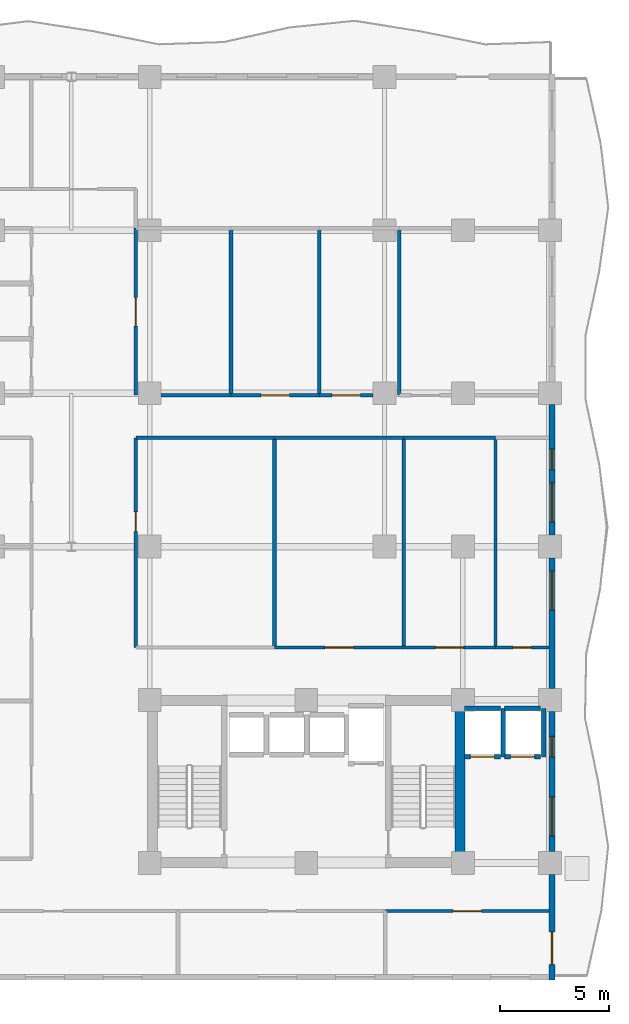
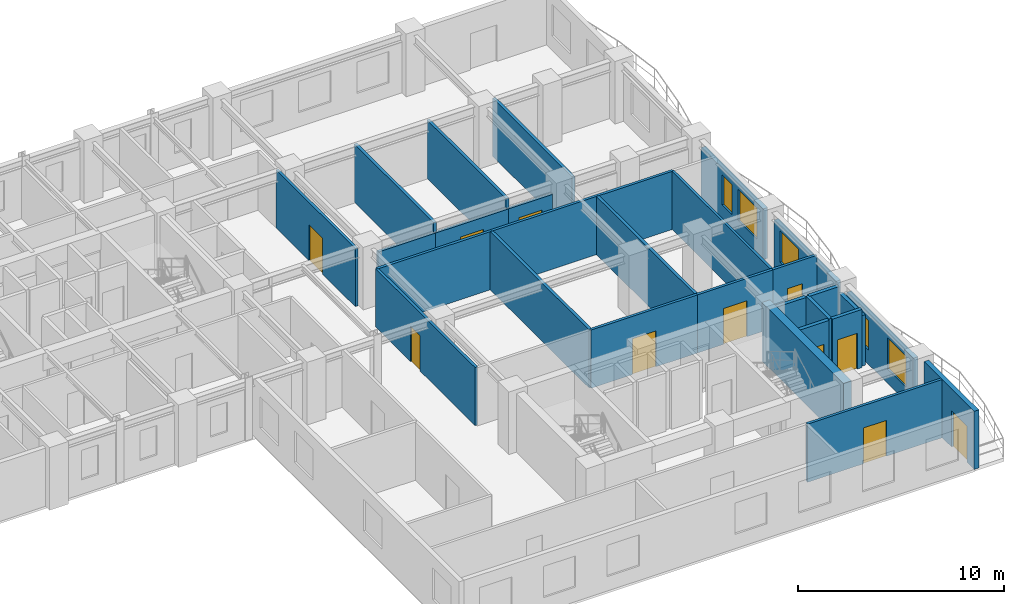
# One storey, part 13 of 19: 29 walls, 11 doors, 5 windows, 16 openings.
"""IFC4 building model written with IfcOpenShell, lengths in metres."""

from ifc_helpers import new_model, si_unit, direction, frame, frame_2d, origin, place, context, subcontext, project, spatial, rectangle, extrude, material, layer, layer_set, type_object, element, fill, save


model = new_model("IFC4")

# Units and contexts
model_context = context("Model", 3, precision=1e-05, world=origin(), true_north=direction((0.0, 1.0)))
body_context = subcontext(model_context, "Body", "Model", "MODEL_VIEW")
ifc_project = project(units=[si_unit("LENGTHUNIT", "METRE"), si_unit("AREAUNIT", "SQUARE_METRE"), si_unit("VOLUMEUNIT", "CUBIC_METRE"), si_unit("PLANEANGLEUNIT", "RADIAN"), si_unit("MASSUNIT", "GRAM", prefix="KILO")], contexts=[model_context])

# Site, building, storey
site_placement = place(None, origin())
site = spatial("IfcSite", under=ifc_project, at=site_placement, CompositionType="ELEMENT")
building_placement = place(site_placement, origin())
building = spatial("IfcBuilding", under=site, at=building_placement, Name="Kaliganga Portal Commons", CompositionType="ELEMENT")
storey_placement = place(building_placement, frame((0.0, 0.0, 140.199951171875)))
storey = spatial("IfcBuildingStorey", under=building, at=storey_placement, Name="L35", CompositionType="ELEMENT", Elevation=140.199951171875)

# Wall
ifc_material_1 = material(Name="Concrete C60/75", Category="concrete")
ifc_layer_1 = layer(ifc_material_1, 0.449951171875)
ifc_layer_set_1 = layer_set([ifc_layer_1], Name="Concrete C60/75")
wall_type_1 = type_object("IfcWallType", Name="WL-CORE-450", PredefinedType="SHEAR", material=ifc_layer_set_1)
wall_1_placement = place(storey_placement, frame((50.27490234375, 6.85009765625, 0.0), z_axis=(0.0, 0.0, 1.0), x_axis=(0.0, 1.0, 0.0)))
element("IfcWall", 1, at=wall_1_placement, inside=storey, type_object=wall_type_1, Name="Core B East Shear Wall L35", PredefinedType="SHEAR", context=body_context, shape_type="SweptSolid", body=[
    extrude(rectangle(XDim=7.89990234375, YDim=0.449951171875, at=frame_2d((3.949951171875, 0.0))), origin(), (0.0, 0.0, 1.0), 3.4599609375),
])

# Wall, opening, door
ifc_material_2 = material(Name="Insulated Aluminium-Clad Spandrel Assembly", Category="aluminium")
ifc_layer_2 = layer(ifc_material_2, 0.260009765625)
ifc_layer_set_2 = layer_set([ifc_layer_2], Name="Insulated Aluminium-Clad Spandrel Assembly")
wall_type_2 = type_object("IfcWallType", Name="WL-EXT-SPAND-260", PredefinedType="STANDARD", material=ifc_layer_set_2)
wall_2_placement = place(storey_placement, frame((54.5, 6.52392578125, 0.0), z_axis=(0.0, 0.0, 1.0), x_axis=(0.0, -1.0, 0.0)))
wall_2 = element("IfcWall", 2, at=wall_2_placement, inside=storey, type_object=wall_type_2, Name="Exterior Envelope Wall L35 P1-E01-S1", PredefinedType="STANDARD", context=body_context, shape_type="SweptSolid", body=[
    extrude(rectangle(XDim=4.85400390625, YDim=0.260009765625, at=frame_2d((2.427001953125, 0.0))), origin(), (0.0, 0.0, 1.0), 3.43994140625),
])
opening_1_placement = place(wall_2_placement, frame((2.64794921875, 0.0, 0.0)))
opening_1 = element("IfcOpeningElement", 3, at=opening_1_placement, cuts=wall_2, Name="Opening BD-01", PredefinedType="OPENING", context=body_context, shape_type="SweptSolid", body=[
    extrude(rectangle(XDim=1.5, YDim=2.14990234375, at=frame_2d((0.75, 1.074951171875))), frame((0.0, 0.14013671875, 0.0), z_axis=(0.0, -1.0, 0.0), x_axis=(1.0, 0.0, 0.0)), (0.0, 0.0, 1.0), 0.280029296875),
])
ifc_material_3 = material(Name="Anodized Aluminium and Laminated Safety Glass", Category="aluminium")
door_type_1 = type_object("IfcDoorType", Name="DR-BALC-1500", OperationType="SLIDING_TO_LEFT", PredefinedType="DOOR", material=ifc_material_3)
door_1_placement = place(opening_1_placement, origin())
door_1 = element("IfcDoor", 4, at=door_1_placement, inside=storey, type_object=door_type_1, Name="Balcony Sliding Door L35 balc_east", OperationType="SLIDING_TO_LEFT", OverallHeight=2.14990234375, OverallWidth=1.5, PredefinedType="DOOR", context=body_context, shape_type="SweptSolid", body=[
    extrude(rectangle(XDim=1.5, YDim=2.14990234375, at=frame_2d((0.75, 1.074951171875))), frame((0.0, 0.02490234375, 0.0), z_axis=(0.0, -1.0, 0.0), x_axis=(1.0, 0.0, 0.0)), (0.0, 0.0, 1.0), 0.050048828125),
])
fill(opening_1, door_1)

# Wall, openings, windows
wall_3_placement = place(storey_placement, frame((54.5, 14.02392578125, 0.0), z_axis=(0.0, 0.0, 1.0), x_axis=(0.0, -1.0, 0.0)))
wall_3 = element("IfcWall", 5, at=wall_3_placement, inside=storey, type_object=wall_type_2, Name="Exterior Envelope Wall L35 P1-E01-S2", PredefinedType="STANDARD", context=body_context, shape_type="SweptSolid", body=[
    extrude(rectangle(XDim=6.447998046875, YDim=0.260009765625, at=frame_2d((3.22412109375, 0.0))), origin(), (0.0, 0.0, 1.0), 2.989990234375),
])
opening_2_placement = place(wall_3_placement, frame((3.93603515625, 0.0, 0.85009765625)))
opening_2 = element("IfcOpeningElement", 6, at=opening_2_placement, cuts=wall_3, Name="Opening W-01", PredefinedType="OPENING", context=body_context, shape_type="SweptSolid", body=[
    extrude(rectangle(XDim=1.800048828125, YDim=1.85009765625, at=frame_2d((0.89990234375, 0.925048828125))), frame((0.0, 0.14013671875, 0.0), z_axis=(0.0, -1.0, 0.0), x_axis=(1.0, 0.0, 0.0)), (0.0, 0.0, 1.0), 0.280029296875),
])
opening_3_placement = place(wall_3_placement, frame((1.14990234375, 0.0, 0.85009765625)))
opening_3 = element("IfcOpeningElement", 7, at=opening_3_placement, cuts=wall_3, Name="Opening W-04", PredefinedType="OPENING", context=body_context, shape_type="SweptSolid", body=[
    extrude(rectangle(XDim=0.949951171875, YDim=1.75, at=frame_2d((0.47509765625, 0.875))), frame((0.0, 0.14013671875, 0.0), z_axis=(0.0, -1.0, 0.0), x_axis=(1.0, 0.0, 0.0)), (0.0, 0.0, 1.0), 0.280029296875),
])
ifc_material_4 = material(Name="Thermally Broken Aluminium and Low-E Double Glazing", Category="aluminium")
window_type_1 = type_object("IfcWindowType", Name="WIN-NARROW-950", PartitioningType="SINGLE_PANEL", PredefinedType="WINDOW", material=ifc_material_4)
window_1_placement = place(opening_3_placement, origin())
window_1 = element("IfcWindow", 8, at=window_1_placement, inside=storey, type_object=window_type_1, Name="Facade Window L35-P1E01S2-N1", OverallHeight=1.75, OverallWidth=0.949951171875, PartitioningType="SINGLE_PANEL", PredefinedType="WINDOW", context=body_context, shape_type="SweptSolid", body=[
    extrude(rectangle(XDim=0.949951171875, YDim=1.75, at=frame_2d((0.47509765625, 0.875))), frame((0.0, 0.030029296875, 0.0), z_axis=(0.0, -1.0, 0.0), x_axis=(1.0, 0.0, 0.0)), (0.0, 0.0, 1.0), 0.06005859375),
])
fill(opening_3, window_1)
window_type_2 = type_object("IfcWindowType", Name="WIN-STD-1800", PartitioningType="DOUBLE_PANEL_VERTICAL", PredefinedType="WINDOW", material=ifc_material_4)
window_2_placement = place(opening_2_placement, origin())
window_2 = element("IfcWindow", 9, at=window_2_placement, inside=storey, type_object=window_type_2, Name="Facade Window L35-P1E01S2-01", OverallHeight=1.85009765625, OverallWidth=1.800048828125, PartitioningType="SINGLE_PANEL", PredefinedType="WINDOW", context=body_context, shape_type="SweptSolid", body=[
    extrude(rectangle(XDim=1.800048828125, YDim=1.85009765625, at=frame_2d((0.89990234375, 0.925048828125))), frame((0.0, 0.030029296875, 0.0), z_axis=(0.0, -1.0, 0.0), x_axis=(1.0, 0.0, 0.0)), (0.0, 0.0, 1.0), 0.06005859375),
])
fill(opening_2, window_2)

# Wall, opening, window
wall_4_placement = place(storey_placement, frame((54.5, 21.073974609375, 0.0), z_axis=(0.0, 0.0, 1.0), x_axis=(0.0, -1.0, 0.0)))
wall_4 = element("IfcWall", 10, at=wall_4_placement, inside=storey, type_object=wall_type_2, Name="Exterior Envelope Wall L35 P1-E01-S3", PredefinedType="STANDARD", context=body_context, shape_type="SweptSolid", body=[
    extrude(rectangle(XDim=5.998046875, YDim=0.260009765625, at=frame_2d((2.9990234375, 0.0))), origin(), (0.0, 0.0, 1.0), 2.989990234375),
])
opening_4_placement = place(wall_4_placement, frame((0.599609375, 0.0, 0.85009765625)))
opening_4 = element("IfcOpeningElement", 11, at=opening_4_placement, cuts=wall_4, Name="Opening W-01", PredefinedType="OPENING", context=body_context, shape_type="SweptSolid", body=[
    extrude(rectangle(XDim=1.800048828125, YDim=1.85009765625, at=frame_2d((0.89990234375, 0.925048828125))), frame((0.0, 0.14013671875, 0.0), z_axis=(0.0, -1.0, 0.0), x_axis=(1.0, 0.0, 0.0)), (0.0, 0.0, 1.0), 0.280029296875),
])
window_3_placement = place(opening_4_placement, origin())
window_3 = element("IfcWindow", 12, at=window_3_placement, inside=storey, type_object=window_type_2, Name="Facade Window L35-P1E01S3-00", OverallHeight=1.85009765625, OverallWidth=1.800048828125, PartitioningType="SINGLE_PANEL", PredefinedType="WINDOW", context=body_context, shape_type="SweptSolid", body=[
    extrude(rectangle(XDim=1.800048828125, YDim=1.85009765625, at=frame_2d((0.89990234375, 0.925048828125))), frame((0.0, 0.030029296875, 0.0), z_axis=(0.0, -1.0, 0.0), x_axis=(1.0, 0.0, 0.0)), (0.0, 0.0, 1.0), 0.06005859375),
])
fill(opening_4, window_3)

# Wall, openings, windows
wall_5_placement = place(storey_placement, frame((54.5, 28.1240234375, 0.0), z_axis=(0.0, 0.0, 1.0), x_axis=(0.0, -1.0, 0.0)))
wall_5 = element("IfcWall", 13, at=wall_5_placement, inside=storey, type_object=wall_type_2, Name="Exterior Envelope Wall L35 P1-E01-S4", PredefinedType="STANDARD", context=body_context, shape_type="SweptSolid", body=[
    extrude(rectangle(XDim=5.998046875, YDim=0.260009765625, at=frame_2d((2.9990234375, 0.0))), origin(), (0.0, 0.0, 1.0), 2.989990234375),
])
opening_5_placement = place(wall_5_placement, frame((3.598388671875, 0.0, 0.85009765625)))
opening_5 = element("IfcOpeningElement", 14, at=opening_5_placement, cuts=wall_5, Name="Opening W-01", PredefinedType="OPENING", context=body_context, shape_type="SweptSolid", body=[
    extrude(rectangle(XDim=1.800048828125, YDim=1.85009765625, at=frame_2d((0.89990234375, 0.925048828125))), frame((0.0, 0.14013671875, 0.0), z_axis=(0.0, -1.0, 0.0), x_axis=(1.0, 0.0, 0.0)), (0.0, 0.0, 1.0), 0.280029296875),
])
opening_6_placement = place(wall_5_placement, frame((2.044189453125, 0.0, 0.85009765625)))
opening_6 = element("IfcOpeningElement", 15, at=opening_6_placement, cuts=wall_5, Name="Opening W-04", PredefinedType="OPENING", context=body_context, shape_type="SweptSolid", body=[
    extrude(rectangle(XDim=0.949951171875, YDim=1.75, at=frame_2d((0.47509765625, 0.875))), frame((0.0, 0.14013671875, 0.0), z_axis=(0.0, -1.0, 0.0), x_axis=(1.0, 0.0, 0.0)), (0.0, 0.0, 1.0), 0.280029296875),
])
window_4_placement = place(opening_6_placement, origin())
window_4 = element("IfcWindow", 16, at=window_4_placement, inside=storey, type_object=window_type_1, Name="Facade Window L35-P1E01S4-N5", OverallHeight=1.75, OverallWidth=0.949951171875, PartitioningType="SINGLE_PANEL", PredefinedType="WINDOW", context=body_context, shape_type="SweptSolid", body=[
    extrude(rectangle(XDim=0.949951171875, YDim=1.75, at=frame_2d((0.47509765625, 0.875))), frame((0.0, 0.030029296875, 0.0), z_axis=(0.0, -1.0, 0.0), x_axis=(1.0, 0.0, 0.0)), (0.0, 0.0, 1.0), 0.06005859375),
])
fill(opening_6, window_4)
window_5_placement = place(opening_5_placement, origin())
window_5 = element("IfcWindow", 17, at=window_5_placement, inside=storey, type_object=window_type_2, Name="Facade Window L35-P1E01S4-01", OverallHeight=1.85009765625, OverallWidth=1.800048828125, PartitioningType="SINGLE_PANEL", PredefinedType="WINDOW", context=body_context, shape_type="SweptSolid", body=[
    extrude(rectangle(XDim=1.800048828125, YDim=1.85009765625, at=frame_2d((0.89990234375, 0.925048828125))), frame((0.0, 0.030029296875, 0.0), z_axis=(0.0, -1.0, 0.0), x_axis=(1.0, 0.0, 0.0)), (0.0, 0.0, 1.0), 0.06005859375),
])
fill(opening_5, window_5)

# Wall, opening, door
ifc_material_5 = material(Name="Fire-Rated Gypsum Board on Steel Stud", Category="steel")
ifc_layer_3 = layer(ifc_material_5, 0.14990234375)
ifc_layer_set_3 = layer_set([ifc_layer_3], Name="Fire-Rated Gypsum Board on Steel Stud")
wall_type_3 = type_object("IfcWallType", Name="WL-PART-CORR-150", PredefinedType="PARTITIONING", material=ifc_layer_set_3)
wall_6_placement = place(storey_placement, frame((35.360107421875, 16.9599609375, 0.0), z_axis=(0.0, 0.0, 1.0), x_axis=(0.0, 1.0, 0.0)))
wall_6 = element("IfcWall", 18, at=wall_6_placement, inside=storey, type_object=wall_type_3, Name="Interior Partition L35-003", PredefinedType="PARTITIONING", context=body_context, shape_type="SweptSolid", body=[
    extrude(rectangle(XDim=9.64013671875, YDim=0.14990234375, at=frame_2d((4.820068359375, 0.0))), origin(), (0.0, 0.0, 1.0), 3.43994140625),
])
opening_7_placement = place(wall_6_placement, frame((5.333984375, 0.0, 0.0)))
opening_7 = element("IfcOpeningElement", 19, at=opening_7_placement, cuts=wall_6, Name="Opening RD-01", PredefinedType="OPENING", context=body_context, shape_type="SweptSolid", body=[
    extrude(rectangle(XDim=0.89990234375, YDim=2.080078125, at=frame_2d((0.449951171875, 1.0400390625))), frame((0.0, 0.0849609375, 0.0), z_axis=(0.0, -1.0, 0.0), x_axis=(1.0, 0.0, 0.0)), (0.0, 0.0, 1.0), 0.169921875),
])
ifc_material_6 = material(Name="Engineered Timber Flush Door", Category="wood")
door_type_2 = type_object("IfcDoorType", Name="DR-ROOM-900", OperationType="NOTDEFINED", PredefinedType="DOOR", material=ifc_material_6)
door_2_placement = place(opening_7_placement, origin())
door_2 = element("IfcDoor", 20, at=door_2_placement, inside=storey, type_object=door_type_2, Name="Interior Door L35-BM01", OperationType="SINGLE_SWING_RIGHT", OverallHeight=2.080078125, OverallWidth=0.89990234375, PredefinedType="DOOR", context=body_context, shape_type="SweptSolid", body=[
    extrude(rectangle(XDim=0.89990234375, YDim=2.080078125, at=frame_2d((0.449951171875, 1.0400390625))), frame((0.0, 0.02490234375, 0.0), z_axis=(0.0, -1.0, 0.0), x_axis=(1.0, 0.0, 0.0)), (0.0, 0.0, 1.0), 0.050048828125),
])
fill(opening_7, door_2)

wall_7_placement = place(storey_placement, frame((35.360107421875, 28.56005859375, 0.0), z_axis=(0.0, 0.0, 1.0), x_axis=(0.0, 1.0, 0.0)))
wall_7 = element("IfcWall", 21, at=wall_7_placement, inside=storey, type_object=wall_type_3, Name="Interior Partition L35-011", PredefinedType="PARTITIONING", context=body_context, shape_type="SweptSolid", body=[
    extrude(rectangle(XDim=7.679931640625, YDim=0.14990234375, at=frame_2d((3.83984375, 0.0))), origin(), (0.0, 0.0, 1.0), 3.43994140625),
])
opening_8_placement = place(wall_7_placement, frame((3.18994140625, 0.0, 0.0)))
opening_8 = element("IfcOpeningElement", 22, at=opening_8_placement, cuts=wall_7, Name="Opening RD-03", PredefinedType="OPENING", context=body_context, shape_type="SweptSolid", body=[
    extrude(rectangle(XDim=1.300048828125, YDim=2.1201171875, at=frame_2d((0.64990234375, 1.06005859375))), frame((0.0, 0.0849609375, 0.0), z_axis=(0.0, -1.0, 0.0), x_axis=(1.0, 0.0, 0.0)), (0.0, 0.0, 1.0), 0.169921875),
])
ifc_material_7 = material(Name="Glazed Timber Seminar Vision Door", Category="wood")
door_type_3 = type_object("IfcDoorType", Name="DR-STUDY-1300", OperationType="DOUBLE_DOOR_SINGLE_SWING", PredefinedType="DOOR", material=ifc_material_7)
door_3_placement = place(opening_8_placement, origin())
door_3 = element("IfcDoor", 23, at=door_3_placement, inside=storey, type_object=door_type_3, Name="Interior Door L35-BK01", OperationType="DOUBLE_DOOR_SINGLE_SWING", OverallHeight=2.1201171875, OverallWidth=1.300048828125, PredefinedType="DOOR", context=body_context, shape_type="SweptSolid", body=[
    extrude(rectangle(XDim=1.300048828125, YDim=2.1201171875, at=frame_2d((0.64990234375, 1.06005859375))), frame((0.0, 0.02490234375, 0.0), z_axis=(0.0, -1.0, 0.0), x_axis=(1.0, 0.0, 0.0)), (0.0, 0.0, 1.0), 0.050048828125),
])
fill(opening_8, door_3)

wall_8_placement = place(storey_placement, frame((46.840087890625, 4.840087890625, 0.0), z_axis=(0.0, 0.0, 1.0), x_axis=(1.0, 0.0, 0.0)))
wall_8 = element("IfcWall", 24, at=wall_8_placement, inside=storey, type_object=wall_type_3, Name="Interior Partition L35-012", PredefinedType="PARTITIONING", context=body_context, shape_type="SweptSolid", body=[
    extrude(rectangle(XDim=7.52783203125, YDim=0.14990234375, at=frame_2d((3.763916015625, 0.0))), origin(), (0.0, 0.0, 1.0), 3.43994140625),
])
opening_9_placement = place(wall_8_placement, frame((3.114013671875, 0.0, 0.0)))
opening_9 = element("IfcOpeningElement", 25, at=opening_9_placement, cuts=wall_8, Name="Opening RD-03", PredefinedType="OPENING", context=body_context, shape_type="SweptSolid", body=[
    extrude(rectangle(XDim=1.300048828125, YDim=2.1201171875, at=frame_2d((0.64990234375, 1.06005859375))), frame((0.0, 0.0849609375, 0.0), z_axis=(0.0, -1.0, 0.0), x_axis=(1.0, 0.0, 0.0)), (0.0, 0.0, 1.0), 0.169921875),
])
door_4_placement = place(opening_9_placement, origin())
door_4 = element("IfcDoor", 26, at=door_4_placement, inside=storey, type_object=door_type_3, Name="Interior Door L35-BS03", OperationType="DOUBLE_DOOR_SINGLE_SWING", OverallHeight=2.1201171875, OverallWidth=1.300048828125, PredefinedType="DOOR", context=body_context, shape_type="SweptSolid", body=[
    extrude(rectangle(XDim=1.300048828125, YDim=2.1201171875, at=frame_2d((0.64990234375, 1.06005859375))), frame((0.0, 0.02490234375, 0.0), z_axis=(0.0, -1.0, 0.0), x_axis=(1.0, 0.0, 0.0)), (0.0, 0.0, 1.0), 0.050048828125),
])
fill(opening_9, door_4)

# Wall
wall_9_placement = place(storey_placement, frame((35.360107421875, 26.60009765625, 0.0), z_axis=(0.0, 0.0, 1.0), x_axis=(1.0, 0.0, 0.0)))
element("IfcWall", 27, at=wall_9_placement, inside=storey, type_object=wall_type_3, Name="Interior Partition L35-019", PredefinedType="PARTITIONING", context=body_context, shape_type="SweptSolid", body=[
    extrude(rectangle(XDim=6.3798828125, YDim=0.14990234375, at=frame_2d((3.18994140625, 0.0))), origin(), (0.0, 0.0, 1.0), 3.43994140625),
])

# Wall, opening, door
wall_10_placement = place(storey_placement, frame((41.739990234375, 16.9599609375, 0.0), z_axis=(0.0, 0.0, 1.0), x_axis=(1.0, 0.0, 0.0)))
wall_10 = element("IfcWall", 28, at=wall_10_placement, inside=storey, type_object=wall_type_3, Name="Interior Partition L35-021", PredefinedType="PARTITIONING", context=body_context, shape_type="SweptSolid", body=[
    extrude(rectangle(XDim=5.93994140625, YDim=0.14990234375, at=frame_2d((2.969970703125, 0.0))), origin(), (0.0, 0.0, 1.0), 3.43994140625),
])
opening_10_placement = place(wall_10_placement, frame((2.320068359375, 0.0, 0.0)))
opening_10 = element("IfcOpeningElement", 29, at=opening_10_placement, cuts=wall_10, Name="Opening RD-03", PredefinedType="OPENING", context=body_context, shape_type="SweptSolid", body=[
    extrude(rectangle(XDim=1.300048828125, YDim=2.1201171875, at=frame_2d((0.64990234375, 1.06005859375))), frame((0.0, 0.0849609375, 0.0), z_axis=(0.0, -1.0, 0.0), x_axis=(1.0, 0.0, 0.0)), (0.0, 0.0, 1.0), 0.169921875),
])
door_5_placement = place(opening_10_placement, origin())
door_5 = element("IfcDoor", 30, at=door_5_placement, inside=storey, type_object=door_type_3, Name="Interior Door L35-BM02", OperationType="DOUBLE_DOOR_SINGLE_SWING", OverallHeight=2.1201171875, OverallWidth=1.300048828125, PredefinedType="DOOR", context=body_context, shape_type="SweptSolid", body=[
    extrude(rectangle(XDim=1.300048828125, YDim=2.1201171875, at=frame_2d((0.64990234375, 1.06005859375))), frame((0.0, 0.02490234375, 0.0), z_axis=(0.0, -1.0, 0.0), x_axis=(1.0, 0.0, 0.0)), (0.0, 0.0, 1.0), 0.050048828125),
])
fill(opening_10, door_5)

# Walls
wall_11_placement = place(storey_placement, frame((41.739990234375, 26.60009765625, 0.0), z_axis=(0.0, 0.0, 1.0), x_axis=(1.0, 0.0, 0.0)))
element("IfcWall", 31, at=wall_11_placement, inside=storey, type_object=wall_type_3, Name="Interior Partition L35-022", PredefinedType="PARTITIONING", context=body_context, shape_type="SweptSolid", body=[
    extrude(rectangle(XDim=5.93994140625, YDim=0.14990234375, at=frame_2d((2.969970703125, 0.0))), origin(), (0.0, 0.0, 1.0), 3.43994140625),
])
wall_12_placement = place(storey_placement, frame((36.52490234375, 28.56005859375, 0.0), z_axis=(0.0, 0.0, 1.0), x_axis=(1.0, 0.0, 0.0)))
element("IfcWall", 32, at=wall_12_placement, inside=storey, type_object=wall_type_3, Name="Interior Partition L35-028", PredefinedType="PARTITIONING", context=body_context, shape_type="SweptSolid", body=[
    extrude(rectangle(XDim=3.215087890625, YDim=0.14990234375, at=frame_2d((1.607421875, 0.0))), origin(), (0.0, 0.0, 1.0), 2.840087890625),
])

# Wall, opening, door
wall_13_placement = place(storey_placement, frame((47.679931640625, 16.9599609375, 0.0), z_axis=(0.0, 0.0, 1.0), x_axis=(1.0, 0.0, 0.0)))
wall_13 = element("IfcWall", 33, at=wall_13_placement, inside=storey, type_object=wall_type_3, Name="Interior Partition L35-029", PredefinedType="PARTITIONING", context=body_context, shape_type="SweptSolid", body=[
    extrude(rectangle(XDim=4.219970703125, YDim=0.14990234375, at=frame_2d((2.10986328125, 0.0))), origin(), (0.0, 0.0, 1.0), 3.43994140625),
])
opening_11_placement = place(wall_13_placement, frame((1.4599609375, 0.0, 0.0)))
opening_11 = element("IfcOpeningElement", 34, at=opening_11_placement, cuts=wall_13, Name="Opening RD-03", PredefinedType="OPENING", context=body_context, shape_type="SweptSolid", body=[
    extrude(rectangle(XDim=1.300048828125, YDim=2.1201171875, at=frame_2d((0.64990234375, 1.06005859375))), frame((0.0, 0.0849609375, 0.0), z_axis=(0.0, -1.0, 0.0), x_axis=(1.0, 0.0, 0.0)), (0.0, 0.0, 1.0), 0.169921875),
])
door_6_placement = place(opening_11_placement, origin())
door_6 = element("IfcDoor", 35, at=door_6_placement, inside=storey, type_object=door_type_3, Name="Interior Door L35-BM03", OperationType="DOUBLE_DOOR_SINGLE_SWING", OverallHeight=2.1201171875, OverallWidth=1.300048828125, PredefinedType="DOOR", context=body_context, shape_type="SweptSolid", body=[
    extrude(rectangle(XDim=1.300048828125, YDim=2.1201171875, at=frame_2d((0.64990234375, 1.06005859375))), frame((0.0, 0.02490234375, 0.0), z_axis=(0.0, -1.0, 0.0), x_axis=(1.0, 0.0, 0.0)), (0.0, 0.0, 1.0), 0.050048828125),
])
fill(opening_11, door_6)

# Wall
wall_14_placement = place(storey_placement, frame((47.679931640625, 26.60009765625, 0.0), z_axis=(0.0, 0.0, 1.0), x_axis=(1.0, 0.0, 0.0)))
element("IfcWall", 36, at=wall_14_placement, inside=storey, type_object=wall_type_3, Name="Interior Partition L35-030", PredefinedType="PARTITIONING", context=body_context, shape_type="SweptSolid", body=[
    extrude(rectangle(XDim=4.219970703125, YDim=0.14990234375, at=frame_2d((2.10986328125, 0.0))), origin(), (0.0, 0.0, 1.0), 3.43994140625),
])

# Wall, opening, door
wall_15_placement = place(storey_placement, frame((39.739990234375, 28.56005859375, 0.0), z_axis=(0.0, 0.0, 1.0), x_axis=(1.0, 0.0, 0.0)))
wall_15 = element("IfcWall", 37, at=wall_15_placement, inside=storey, type_object=wall_type_3, Name="Interior Partition L35-031", PredefinedType="PARTITIONING", context=body_context, shape_type="SweptSolid", body=[
    extrude(rectangle(XDim=4.06005859375, YDim=0.14990234375, at=frame_2d((2.030029296875, 0.0))), origin(), (0.0, 0.0, 1.0), 2.840087890625),
])
opening_12_placement = place(wall_15_placement, frame((1.3798828125, 0.0, 0.0)))
opening_12 = element("IfcOpeningElement", 38, at=opening_12_placement, cuts=wall_15, Name="Opening RD-03", PredefinedType="OPENING", context=body_context, shape_type="SweptSolid", body=[
    extrude(rectangle(XDim=1.300048828125, YDim=2.1201171875, at=frame_2d((0.64990234375, 1.06005859375))), frame((0.0, 0.0849609375, 0.0), z_axis=(0.0, -1.0, 0.0), x_axis=(1.0, 0.0, 0.0)), (0.0, 0.0, 1.0), 0.169921875),
])
door_7_placement = place(opening_12_placement, origin())
door_7 = element("IfcDoor", 39, at=door_7_placement, inside=storey, type_object=door_type_3, Name="Interior Door L35-BK02", OperationType="DOUBLE_DOOR_SINGLE_SWING", OverallHeight=2.1201171875, OverallWidth=1.300048828125, PredefinedType="DOOR", context=body_context, shape_type="SweptSolid", body=[
    extrude(rectangle(XDim=1.300048828125, YDim=2.1201171875, at=frame_2d((0.64990234375, 1.06005859375))), frame((0.0, 0.02490234375, 0.0), z_axis=(0.0, -1.0, 0.0), x_axis=(1.0, 0.0, 0.0)), (0.0, 0.0, 1.0), 0.050048828125),
])
fill(opening_12, door_7)

wall_16_placement = place(storey_placement, frame((43.800048828125, 28.56005859375, 0.0), z_axis=(0.0, 0.0, 1.0), x_axis=(1.0, 0.0, 0.0)))
wall_16 = element("IfcWall", 40, at=wall_16_placement, inside=storey, type_object=wall_type_3, Name="Interior Partition L35-034", PredefinedType="PARTITIONING", context=body_context, shape_type="SweptSolid", body=[
    extrude(rectangle(XDim=2.474853515625, YDim=0.14990234375, at=frame_2d((1.2373046875, 0.0))), origin(), (0.0, 0.0, 1.0), 2.840087890625),
])
opening_13_placement = place(wall_16_placement, frame((0.58740234375, 0.0, 0.0)))
opening_13 = element("IfcOpeningElement", 41, at=opening_13_placement, cuts=wall_16, Name="Opening RD-03", PredefinedType="OPENING", context=body_context, shape_type="SweptSolid", body=[
    extrude(rectangle(XDim=1.300048828125, YDim=2.1201171875, at=frame_2d((0.64990234375, 1.06005859375))), frame((0.0, 0.0849609375, 0.0), z_axis=(0.0, -1.0, 0.0), x_axis=(1.0, 0.0, 0.0)), (0.0, 0.0, 1.0), 0.169921875),
])
door_8_placement = place(opening_13_placement, origin())
door_8 = element("IfcDoor", 42, at=door_8_placement, inside=storey, type_object=door_type_3, Name="Interior Door L35-BK03", OperationType="DOUBLE_DOOR_SINGLE_SWING", OverallHeight=2.1201171875, OverallWidth=1.300048828125, PredefinedType="DOOR", context=body_context, shape_type="SweptSolid", body=[
    extrude(rectangle(XDim=1.300048828125, YDim=2.1201171875, at=frame_2d((0.64990234375, 1.06005859375))), frame((0.0, 0.02490234375, 0.0), z_axis=(0.0, -1.0, 0.0), x_axis=(1.0, 0.0, 0.0)), (0.0, 0.0, 1.0), 0.050048828125),
])
fill(opening_13, door_8)

wall_17_placement = place(storey_placement, frame((51.89990234375, 16.9599609375, 0.0), z_axis=(0.0, 0.0, 1.0), x_axis=(1.0, 0.0, 0.0)))
wall_17 = element("IfcWall", 43, at=wall_17_placement, inside=storey, type_object=wall_type_3, Name="Interior Partition L35-036", PredefinedType="PARTITIONING", context=body_context, shape_type="SweptSolid", body=[
    extrude(rectangle(XDim=2.468017578125, YDim=0.14990234375, at=frame_2d((1.23388671875, 0.0))), origin(), (0.0, 0.0, 1.0), 3.43994140625),
])
opening_14_placement = place(wall_17_placement, frame((0.80908203125, 0.0, 0.0)))
opening_14 = element("IfcOpeningElement", 44, at=opening_14_placement, cuts=wall_17, Name="Opening WD-01", PredefinedType="OPENING", context=body_context, shape_type="SweptSolid", body=[
    extrude(rectangle(XDim=0.85009765625, YDim=2.0400390625, at=frame_2d((0.425048828125, 1.02001953125))), frame((0.0, 0.0849609375, 0.0), z_axis=(0.0, -1.0, 0.0), x_axis=(1.0, 0.0, 0.0)), (0.0, 0.0, 1.0), 0.169921875),
])
ifc_material_8 = material(Name="Moisture-Resistant Laminate Timber Door", Category="wood")
door_type_4 = type_object("IfcDoorType", Name="DR-WET-850", OperationType="NOTDEFINED", PredefinedType="DOOR", material=ifc_material_8)
door_9_placement = place(opening_14_placement, origin())
door_9 = element("IfcDoor", 45, at=door_9_placement, inside=storey, type_object=door_type_4, Name="Interior Door L35-BM04", OperationType="SINGLE_SWING_LEFT", OverallHeight=2.0400390625, OverallWidth=0.85009765625, PredefinedType="DOOR", context=body_context, shape_type="SweptSolid", body=[
    extrude(rectangle(XDim=0.85009765625, YDim=2.0400390625, at=frame_2d((0.425048828125, 1.02001953125))), frame((0.0, 0.02490234375, 0.0), z_axis=(0.0, -1.0, 0.0), x_axis=(1.0, 0.0, 0.0)), (0.0, 0.0, 1.0), 0.050048828125),
])
fill(opening_14, door_9)

# Walls
ifc_material_9 = material(Name="Twin-Stud Acoustic Gypsum Partition", Category="gypsum")
ifc_layer_4 = layer(ifc_material_9, 0.1650390625)
ifc_layer_set_4 = layer_set([ifc_layer_4], Name="Twin-Stud Acoustic Gypsum Partition")
wall_type_4 = type_object("IfcWallType", Name="WL-PART-UNIT-165", PredefinedType="PARTITIONING", material=ifc_layer_set_4)
for number, where, z_axis, x_axis, name in (
    (46, (41.739990234375, 16.9599609375, 0.0), (0.0, 0.0, 1.0), (0.0, 1.0, 0.0), "Interior Partition L35-051"),
    (47, (47.679931640625, 16.9599609375, 0.0), (0.0, 0.0, 1.0), (0.0, 1.0, 0.0), "Interior Partition L35-052"),
):
    element("IfcWall", number, at=place(storey_placement, frame(where, z_axis=z_axis, x_axis=x_axis)), inside=storey, type_object=wall_type_4, Name=name, PredefinedType="PARTITIONING", context=body_context, shape_type="SweptSolid", body=[
        extrude(rectangle(XDim=9.64013671875, YDim=0.1650390625, at=frame_2d((4.820068359375, 0.0))), origin(), (0.0, 0.0, 1.0), 3.43994140625),
    ])
for number, where, z_axis, x_axis, name in (
    (48, (39.739990234375, 28.56005859375, 0.0), (0.0, 0.0, 1.0), (0.0, 1.0, 0.0), "Interior Partition L35-055"),
    (49, (43.800048828125, 28.56005859375, 0.0), (0.0, 0.0, 1.0), (0.0, 1.0, 0.0), "Interior Partition L35-056"),
    (50, (47.47998046875, 28.56005859375, 0.0), (0.0, 0.0, 1.0), (0.0, 1.0, 0.0), "Interior Partition L35-057"),
):
    element("IfcWall", number, at=place(storey_placement, frame(where, z_axis=z_axis, x_axis=x_axis)), inside=storey, type_object=wall_type_4, Name=name, PredefinedType="PARTITIONING", context=body_context, shape_type="SweptSolid", body=[
        extrude(rectangle(XDim=7.679931640625, YDim=0.1650390625, at=frame_2d((3.83984375, 0.0))), origin(), (0.0, 0.0, 1.0), 3.43994140625),
    ])
ifc_material_10 = material(Name="Cement-Board Wet-Room Partition", Category="gypsum")
ifc_layer_5 = layer(ifc_material_10, 0.135009765625)
ifc_layer_set_5 = layer_set([ifc_layer_5], Name="Cement-Board Wet-Room Partition")
wall_type_5 = type_object("IfcWallType", Name="WL-PART-WET-135", PredefinedType="PARTITIONING", material=ifc_layer_set_5)
wall_18_placement = place(storey_placement, frame((51.89990234375, 16.9599609375, 0.0), z_axis=(0.0, 0.0, 1.0), x_axis=(0.0, 1.0, 0.0)))
element("IfcWall", 51, at=wall_18_placement, inside=storey, type_object=wall_type_5, Name="Interior Partition L35-053", PredefinedType="PARTITIONING", context=body_context, shape_type="SweptSolid", body=[
    extrude(rectangle(XDim=9.64013671875, YDim=0.135009765625, at=frame_2d((4.820068359375, 0.0))), origin(), (0.0, 0.0, 1.0), 3.43994140625),
])

# Wall, opening, door
ifc_material_11 = material(Name="Fire-Rated Shaftwall Masonry Assembly", Category="masonry")
ifc_layer_6 = layer(ifc_material_11, 0.199951171875)
ifc_layer_set_6 = layer_set([ifc_layer_6], Name="Fire-Rated Shaftwall Masonry Assembly")
wall_type_6 = type_object("IfcWallType", Name="WL-SHAFT-200", PredefinedType="PARTITIONING", material=ifc_layer_set_6)
wall_19_placement = place(storey_placement, frame((50.47509765625, 11.93505859375, 0.0), z_axis=(0.0, 0.0, 1.0), x_axis=(1.0, 0.0, 0.0)))
wall_19 = element("IfcWall", 52, at=wall_19_placement, inside=storey, type_object=wall_type_6, Name="Lift PL-B3 Hoistway Shaft Wall L35-S", PredefinedType="PARTITIONING", context=body_context, shape_type="SweptSolid", body=[
    extrude(rectangle(XDim=1.64990234375, YDim=0.199951171875, at=frame_2d((0.824951171875, 0.0))), origin(), (0.0, 0.0, 1.0), 3.43994140625),
])
opening_15_placement = place(wall_19_placement, frame((0.27490234375, 0.0, 0.0)))
opening_15 = element("IfcOpeningElement", 53, at=opening_15_placement, cuts=wall_19, Name="Opening LD-01", PredefinedType="OPENING", context=body_context, shape_type="SweptSolid", body=[
    extrude(rectangle(XDim=1.10009765625, YDim=2.1201171875, at=frame_2d((0.550048828125, 1.06005859375))), frame((0.0, 0.10986328125, 0.0), z_axis=(0.0, -1.0, 0.0), x_axis=(1.0, 0.0, 0.0)), (0.0, 0.0, 1.0), 0.219970703125),
])
ifc_material_12 = material(Name="Brushed Stainless Steel 316 Lift Landing Door", Category="steel")
door_type_5 = type_object("IfcDoorType", Name="DR-LIFT-1100", OperationType="SLIDING_TO_LEFT", PredefinedType="DOOR", material=ifc_material_12)
door_10_placement = place(opening_15_placement, origin())
door_10 = element("IfcDoor", 54, at=door_10_placement, inside=storey, type_object=door_type_5, Name="Lift PL-B3 Sliding Landing Door L35", OperationType="SLIDING_TO_LEFT", OverallHeight=2.1201171875, OverallWidth=1.10009765625, PredefinedType="DOOR", context=body_context, shape_type="SweptSolid", body=[
    extrude(rectangle(XDim=1.10009765625, YDim=2.1201171875, at=frame_2d((0.550048828125, 1.06005859375))), frame((0.0, 0.02490234375, 0.0), z_axis=(0.0, -1.0, 0.0), x_axis=(1.0, 0.0, 0.0)), (0.0, 0.0, 1.0), 0.050048828125),
])
fill(opening_15, door_10)

# Walls
wall_20_placement = place(storey_placement, frame((50.47509765625, 14.1650390625, 0.0), z_axis=(0.0, 0.0, 1.0), x_axis=(1.0, 0.0, 0.0)))
element("IfcWall", 55, at=wall_20_placement, inside=storey, type_object=wall_type_6, Name="Lift PL-B3 Hoistway Shaft Wall L35-N", PredefinedType="PARTITIONING", context=body_context, shape_type="SweptSolid", body=[
    extrude(rectangle(XDim=1.64990234375, YDim=0.199951171875, at=frame_2d((0.824951171875, 0.0))), origin(), (0.0, 0.0, 1.0), 3.43994140625),
])
wall_21_placement = place(storey_placement, frame((52.264892578125, 11.93505859375, 0.0), z_axis=(0.0, 0.0, 1.0), x_axis=(0.0, 1.0, 0.0)))
element("IfcWall", 56, at=wall_21_placement, inside=storey, type_object=wall_type_6, Name="Lift PL-B3 Hoistway Shaft Wall L35-E", PredefinedType="PARTITIONING", context=body_context, shape_type="SweptSolid", body=[
    extrude(rectangle(XDim=2.22998046875, YDim=0.199951171875, at=frame_2d((1.114990234375, 0.0))), origin(), (0.0, 0.0, 1.0), 3.43994140625),
])

# Wall, opening, door
wall_22_placement = place(storey_placement, frame((52.324951171875, 11.93505859375, 0.0), z_axis=(0.0, 0.0, 1.0), x_axis=(1.0, 0.0, 0.0)))
wall_22 = element("IfcWall", 57, at=wall_22_placement, inside=storey, type_object=wall_type_6, Name="Lift PL-B4 Hoistway Shaft Wall L35-S", PredefinedType="PARTITIONING", context=body_context, shape_type="SweptSolid", body=[
    extrude(rectangle(XDim=1.650146484375, YDim=0.199951171875, at=frame_2d((0.8251953125, 0.0))), origin(), (0.0, 0.0, 1.0), 3.43994140625),
])
opening_16_placement = place(wall_22_placement, frame((0.27490234375, 0.0, 0.0)))
opening_16 = element("IfcOpeningElement", 58, at=opening_16_placement, cuts=wall_22, Name="Opening LD-01", PredefinedType="OPENING", context=body_context, shape_type="SweptSolid", body=[
    extrude(rectangle(XDim=1.10009765625, YDim=2.1201171875, at=frame_2d((0.550048828125, 1.06005859375))), frame((0.0, 0.10986328125, 0.0), z_axis=(0.0, -1.0, 0.0), x_axis=(1.0, 0.0, 0.0)), (0.0, 0.0, 1.0), 0.219970703125),
])
door_11_placement = place(opening_16_placement, origin())
door_11 = element("IfcDoor", 59, at=door_11_placement, inside=storey, type_object=door_type_5, Name="Lift PL-B4 Sliding Landing Door L35", OperationType="SLIDING_TO_LEFT", OverallHeight=2.1201171875, OverallWidth=1.10009765625, PredefinedType="DOOR", context=body_context, shape_type="SweptSolid", body=[
    extrude(rectangle(XDim=1.10009765625, YDim=2.1201171875, at=frame_2d((0.550048828125, 1.06005859375))), frame((0.0, 0.02490234375, 0.0), z_axis=(0.0, -1.0, 0.0), x_axis=(1.0, 0.0, 0.0)), (0.0, 0.0, 1.0), 0.050048828125),
])
fill(opening_16, door_11)

# Walls
wall_23_placement = place(storey_placement, frame((52.324951171875, 14.1650390625, 0.0), z_axis=(0.0, 0.0, 1.0), x_axis=(1.0, 0.0, 0.0)))
element("IfcWall", 60, at=wall_23_placement, inside=storey, type_object=wall_type_6, Name="Lift PL-B4 Hoistway Shaft Wall L35-N", PredefinedType="PARTITIONING", context=body_context, shape_type="SweptSolid", body=[
    extrude(rectangle(XDim=1.650146484375, YDim=0.199951171875, at=frame_2d((0.8251953125, 0.0))), origin(), (0.0, 0.0, 1.0), 3.43994140625),
])
wall_24_placement = place(storey_placement, frame((54.114990234375, 11.93505859375, 0.0), z_axis=(0.0, 0.0, 1.0), x_axis=(0.0, 1.0, 0.0)))
element("IfcWall", 61, at=wall_24_placement, inside=storey, type_object=wall_type_6, Name="Lift PL-B4 Hoistway Shaft Wall L35-E", PredefinedType="PARTITIONING", context=body_context, shape_type="SweptSolid", body=[
    extrude(rectangle(XDim=2.22998046875, YDim=0.199951171875, at=frame_2d((1.114990234375, 0.0))), origin(), (0.0, 0.0, 1.0), 2.989990234375),
])

save(model, "model.ifc")
